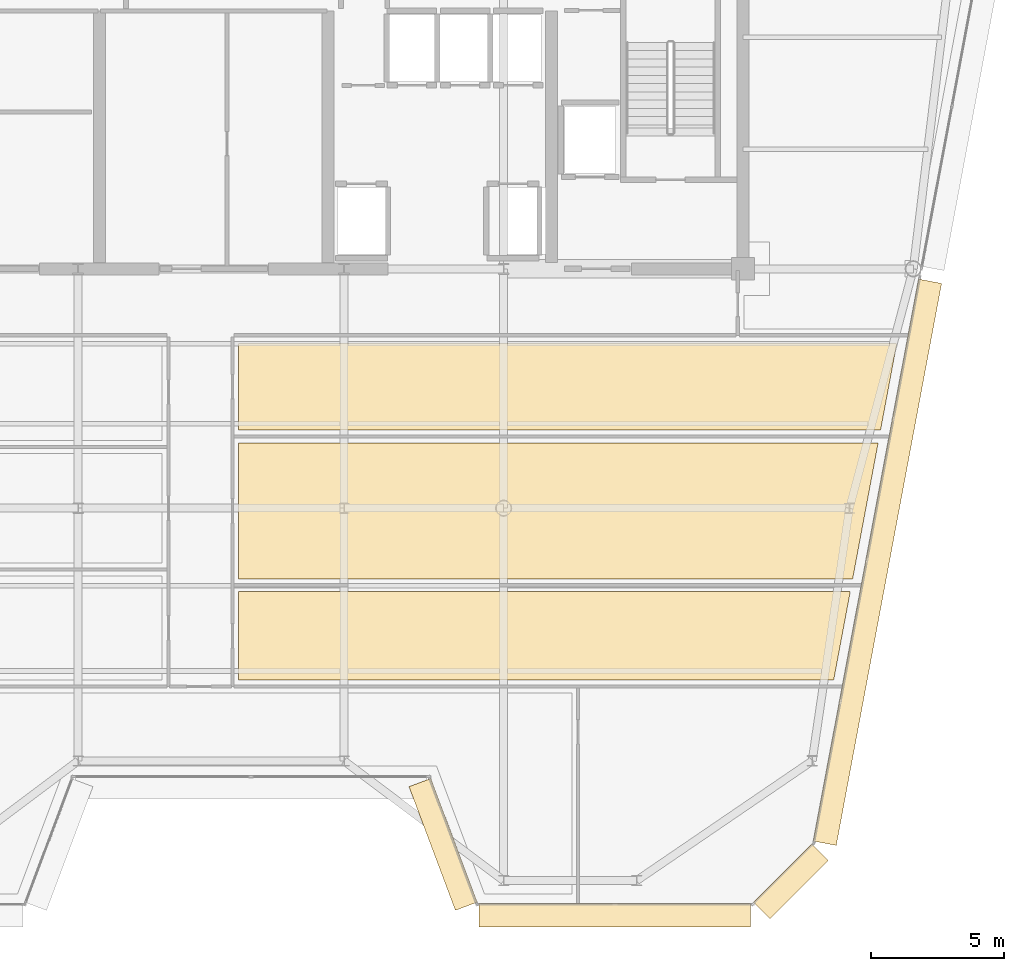
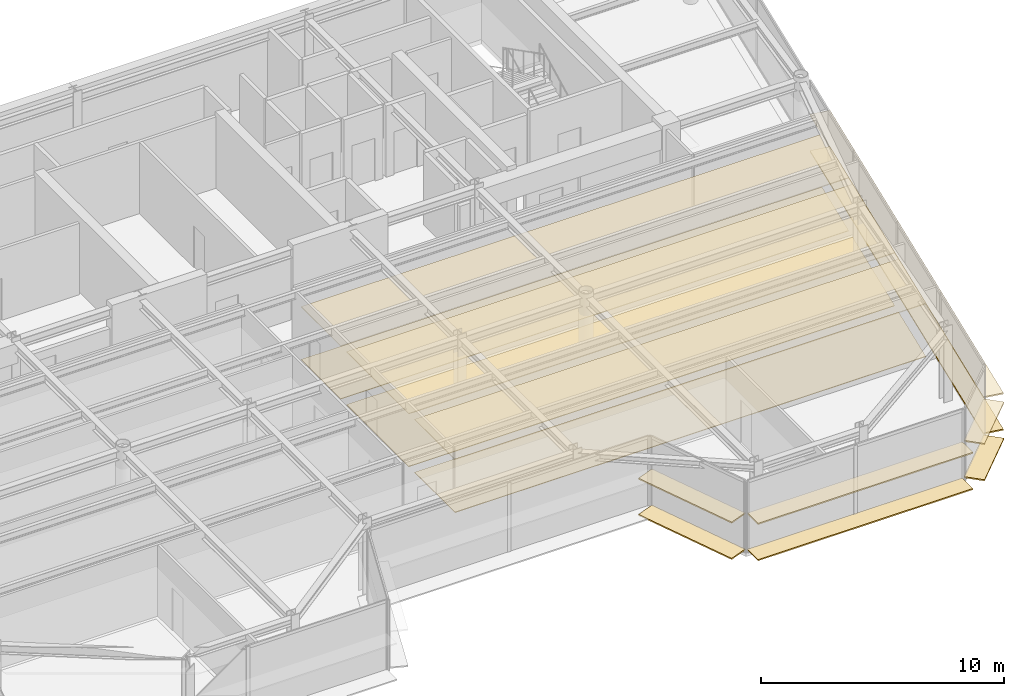
# One storey, part 16 of 20: 14 coverings.
"""IFC4 building model written with IfcOpenShell, lengths in metres."""

from ifc_helpers import new_model, si_unit, direction, frame, origin, origin_2d, place, context, subcontext, project, spatial, polyline, rectangle, outline, extrude, source, transform, mapped, material, layer, layer_set, type_object, element, save


model = new_model("IFC4")

# Units and contexts
model_context = context("Model", 3, precision=1e-05, world=origin(), true_north=direction((0.0, 1.0)))
body_context = subcontext(model_context, "Body", "Model", "MODEL_VIEW")
ifc_project = project(units=[si_unit("LENGTHUNIT", "METRE"), si_unit("AREAUNIT", "SQUARE_METRE"), si_unit("VOLUMEUNIT", "CUBIC_METRE"), si_unit("PLANEANGLEUNIT", "RADIAN"), si_unit("MASSUNIT", "GRAM", prefix="KILO")], contexts=[model_context])

# Site, building, storey
site_placement = place(None, origin())
site = spatial("IfcSite", under=ifc_project, at=site_placement, CompositionType="ELEMENT")
building_placement = place(site_placement, origin())
building = spatial("IfcBuilding", under=site, at=building_placement, Name="Vaeldorn Concourse Tower", CompositionType="ELEMENT")
storey_placement = place(building_placement, frame((0.0, 0.0, 291.60009765625)))
storey = spatial("IfcBuildingStorey", under=building, at=storey_placement, Name="L75", CompositionType="ELEMENT", Elevation=291.60009765625)

# Coverings
ifc_material_1 = material(Name="Acoustic Mineral Fibre Board", Category="gypsum")
ifc_layer_1 = layer(ifc_material_1, 0.0400390625)
ifc_layer_set_1 = layer_set([ifc_layer_1], Name="Acoustic Mineral Fibre Board")
covering_type_1 = type_object("IfcCoveringType", Name="COV-CEIL-ACOUSTIC", PredefinedType="CEILING", material=ifc_layer_set_1)
covering_1_placement = place(storey_placement, frame((0.0, 0.0, 2.64990234375)))
element("IfcCovering", 1, at=covering_1_placement, inside=storey, type_object=covering_type_1, Name="Suspended Acoustic Ceiling L75-8", PredefinedType="CEILING", context=body_context, shape_type="SweptSolid", body=[
    extrude(outline(polyline([(35.0400390625, 21.0400390625), (35.0400390625, 24.360107421875), (58.0302734375, 24.360107421875), (57.407958984375, 21.0400390625), (35.0400390625, 21.0400390625)])), origin(), (0.0, 0.0, 1.0), 0.0400390625),
])
covering_2_placement = place(storey_placement, frame((0.0, 0.0, 2.64990234375)))
element("IfcCovering", 2, at=covering_2_placement, inside=storey, type_object=covering_type_1, Name="Suspended Acoustic Ceiling L75-9", PredefinedType="CEILING", context=body_context, shape_type="SweptSolid", body=[
    extrude(outline(polyline([(35.0400390625, 24.840087890625), (35.0400390625, 29.9599609375), (59.080078125, 29.9599609375), (58.120361328125, 24.840087890625), (35.0400390625, 24.840087890625)])), origin(), (0.0, 0.0, 1.0), 0.0400390625),
])
covering_3_placement = place(storey_placement, frame((0.0, 0.0, 2.64990234375)))
element("IfcCovering", 3, at=covering_3_placement, inside=storey, type_object=covering_type_1, Name="Suspended Acoustic Ceiling L75-10", PredefinedType="CEILING", context=body_context, shape_type="SweptSolid", body=[
    extrude(outline(polyline([(35.0400390625, 30.43994140625), (35.0400390625, 33.699951171875), (59.78125, 33.699951171875), (59.170166015625, 30.43994140625), (35.0400390625, 30.43994140625)])), origin(), (0.0, 0.0, 1.0), 0.0400390625),
])
ifc_material_2 = material(Name="Honed Limestone Terrazzo Flooring", Category="masonry")
ifc_layer_2 = layer(ifc_material_2, 0.0400390625)
ifc_layer_set_2 = layer_set([ifc_layer_2], Name="Honed Limestone Terrazzo Flooring")
covering_type_2 = type_object("IfcCoveringType", Name="COV-FLOOR-STONE", PredefinedType="FLOORING", material=ifc_layer_set_2)
covering_4_placement = place(storey_placement, origin())
element("IfcCovering", 4, at=covering_4_placement, inside=storey, type_object=covering_type_2, Name="Floor Finish Covering L75-8", PredefinedType="FLOORING", context=body_context, shape_type="SweptSolid", body=[
    extrude(outline(polyline([(35.0400390625, 21.0400390625), (35.0400390625, 24.360107421875), (58.0302734375, 24.360107421875), (57.407958984375, 21.0400390625), (35.0400390625, 21.0400390625)])), origin(), (0.0, 0.0, 1.0), 0.02978515625),
])
covering_5_placement = place(storey_placement, origin())
element("IfcCovering", 5, at=covering_5_placement, inside=storey, type_object=covering_type_2, Name="Floor Finish Covering L75-9", PredefinedType="FLOORING", context=body_context, shape_type="SweptSolid", body=[
    extrude(outline(polyline([(35.0400390625, 24.840087890625), (35.0400390625, 29.9599609375), (59.080078125, 29.9599609375), (58.120361328125, 24.840087890625), (35.0400390625, 24.840087890625)])), origin(), (0.0, 0.0, 1.0), 0.02978515625),
])
covering_6_placement = place(storey_placement, origin())
element("IfcCovering", 6, at=covering_6_placement, inside=storey, type_object=covering_type_2, Name="Floor Finish Covering L75-10", PredefinedType="FLOORING", context=body_context, shape_type="SweptSolid", body=[
    extrude(outline(polyline([(35.0400390625, 30.43994140625), (35.0400390625, 33.699951171875), (59.78125, 33.699951171875), (59.170166015625, 30.43994140625), (35.0400390625, 30.43994140625)])), origin(), (0.0, 0.0, 1.0), 0.02978515625),
])
ifc_material_3 = material(Name="Anodised Bronze Aluminium", Category="aluminium")
ifc_layer_3 = layer(ifc_material_3, 0.06494140625)
ifc_layer_set_3 = layer_set([ifc_layer_3], Name="Anodised Bronze Aluminium")
covering_type_3 = type_object("IfcCoveringType", Name="SD-BRONZE-SUNSHADE", PredefinedType="USERDEFINED", material=ifc_layer_set_3)
shared_shape_1 = source(origin(), body_context, "Body", "SweptSolid", [
    extrude(rectangle(XDim=4.96630859375, YDim=0.8798828125, at=origin_2d()), origin(), (0.0, 0.0, 1.0), 0.06494140625),
])
for number, where, z_axis, x_axis, name in (
    (7, (42.7255859375, 14.859619140625, 0.04736328125), (0.0, 0.0, 1.0), (0.351122702609, -0.936329454686, 0.0), "Horizontal Bronze Sunshade L75-E04.1.1"),
    (8, (42.7255859375, 14.859619140625, 1.867431640625), (0.0, 0.0, 1.0), (0.351122702609, -0.936329454686, 0.0), "Horizontal Bronze Sunshade L75-E04.1.2"),
):
    element("IfcCovering", number, at=place(storey_placement, frame(where, z_axis=z_axis, x_axis=x_axis)), inside=storey, type_object=covering_type_3, Name=name, ObjectType="SUNSHADE", PredefinedType="USERDEFINED", context=body_context, shape_type="MappedRepresentation", body=[
        mapped(shared_shape_1, transform((0.0, 0.0, 0.0), scale=1.0)),
    ])
shared_shape_2 = source(origin(), body_context, "Body", "SweptSolid", [
    extrude(rectangle(XDim=3.0927734375, YDim=0.8798828125, at=origin_2d()), origin(), (0.0, 0.0, 1.0), 0.06494140625),
])
for number, where, z_axis, x_axis, name in (
    (9, (55.796875, 13.46728515625, 0.04736328125), (0.0, 0.0, 1.0), (0.707106781187, 0.707106781187, 0.0), "Horizontal Bronze Sunshade L75-E06.1.1"),
    (10, (55.796875, 13.46728515625, 1.867431640625), (0.0, 0.0, 1.0), (0.707106781187, 0.707106781187, 0.0), "Horizontal Bronze Sunshade L75-E06.1.2"),
):
    element("IfcCovering", number, at=place(storey_placement, frame(where, z_axis=z_axis, x_axis=x_axis)), inside=storey, type_object=covering_type_3, Name=name, ObjectType="SUNSHADE", PredefinedType="USERDEFINED", context=body_context, shape_type="MappedRepresentation", body=[
        mapped(shared_shape_2, transform((0.0, 0.0, 0.0), scale=1.0)),
    ])
shared_shape_3 = source(origin(), body_context, "Body", "SweptSolid", [
    extrude(rectangle(XDim=21.49560546875, YDim=0.8798828125, at=origin_2d()), origin(), (0.0, 0.0, 1.0), 0.06494140625),
])
for number, where, z_axis, x_axis, name in (
    (11, (59.05224609375, 25.46875, 0.04736328125), (0.0, 0.0, 1.0), (0.1842429853, 0.98288072642, 0.0), "Horizontal Bronze Sunshade L75-E07.1.1"),
    (12, (59.05224609375, 25.46875, 1.867431640625), (0.0, 0.0, 1.0), (0.1842429853, 0.98288072642, 0.0), "Horizontal Bronze Sunshade L75-E07.1.2"),
):
    element("IfcCovering", number, at=place(storey_placement, frame(where, z_axis=z_axis, x_axis=x_axis)), inside=storey, type_object=covering_type_3, Name=name, ObjectType="SUNSHADE", PredefinedType="USERDEFINED", context=body_context, shape_type="MappedRepresentation", body=[
        mapped(shared_shape_3, transform((0.0, 0.0, 0.0), scale=1.0)),
    ])
shared_shape_4 = source(origin(), body_context, "Body", "SweptSolid", [
    extrude(rectangle(XDim=10.2041015625, YDim=0.8798828125, at=origin_2d()), origin(), (0.0, 0.0, 1.0), 0.06494140625),
])
for number, where, z_axis, x_axis, name in (
    (13, (49.181884765625, 12.199951171875, 0.04736328125), (0.0, 0.0, 1.0), (1.0, 0.0, 0.0), "Horizontal Bronze Sunshade L75-E05.1.1"),
    (14, (49.181884765625, 12.199951171875, 1.867431640625), (0.0, 0.0, 1.0), (1.0, 0.0, 0.0), "Horizontal Bronze Sunshade L75-E05.1.2"),
):
    element("IfcCovering", number, at=place(storey_placement, frame(where, z_axis=z_axis, x_axis=x_axis)), inside=storey, type_object=covering_type_3, Name=name, ObjectType="SUNSHADE", PredefinedType="USERDEFINED", context=body_context, shape_type="MappedRepresentation", body=[
        mapped(shared_shape_4, transform((0.0, 0.0, 0.0), scale=1.0)),
    ])

save(model, "model.ifc")
